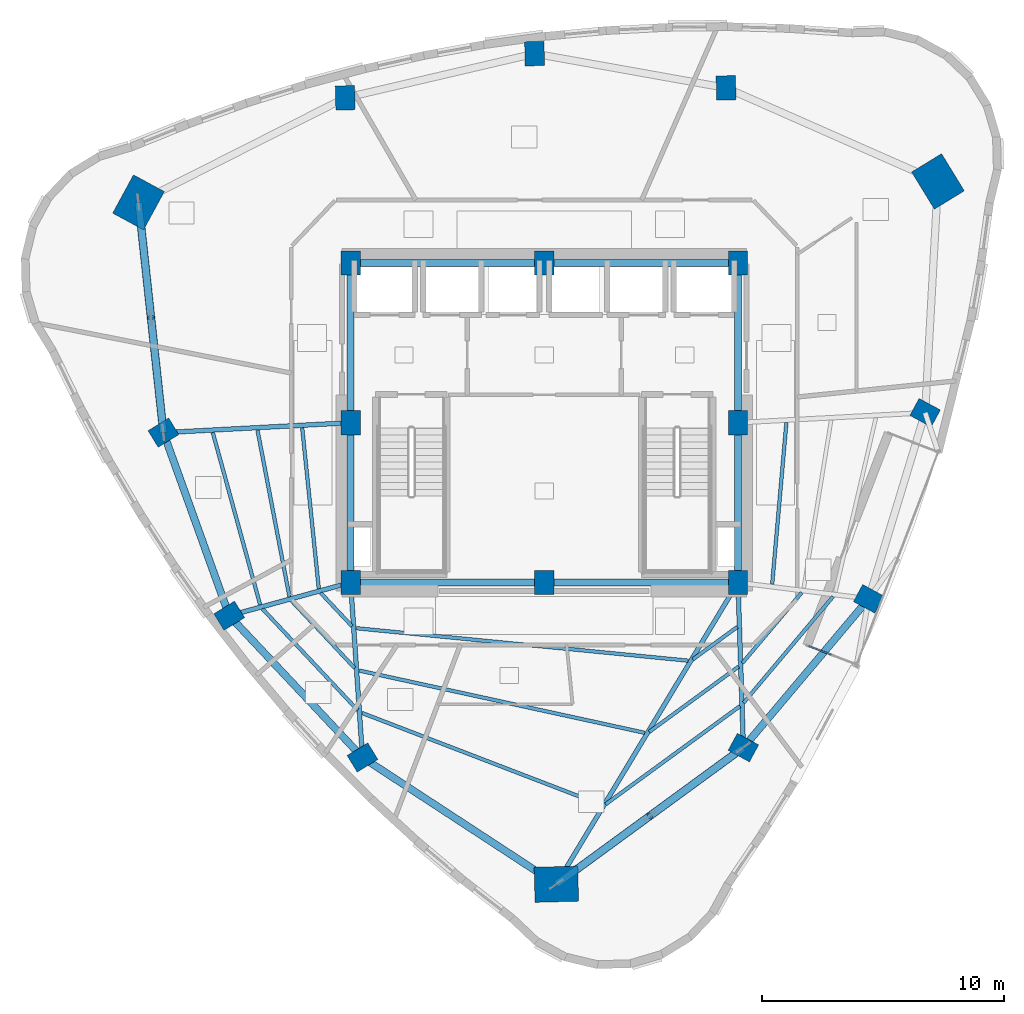
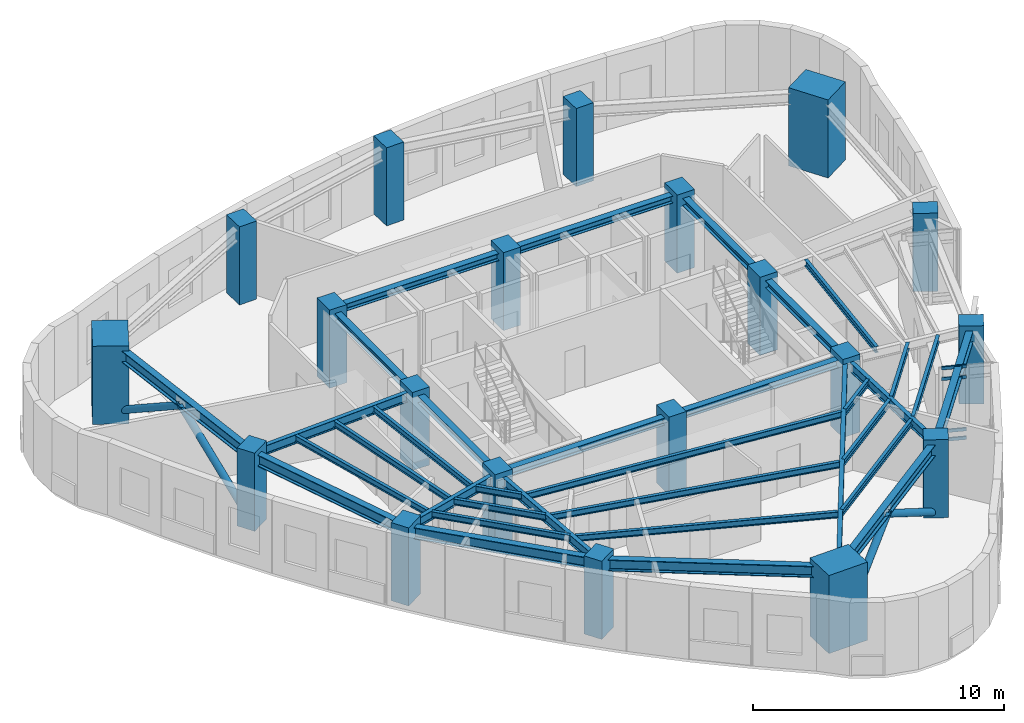
# One storey, part 1 of 10: 34 beams, 20 columns, 8 members, 1 element without a shape of its own.
"""IFC4 building model written with IfcOpenShell, lengths in metres."""

import ifcopenshell
import ifcopenshell.guid

model = None  # the IFC model being written
_history = None  # IfcOwnerHistory: only IFC2X3 demands one
_inside = {}  # id of a spatial element -> (the spatial element, [elements in it])
_under = {}  # id of a project, library or spatial element -> (it, [spatial elements below it])
_declared = {}  # id of a project -> (the project, [libraries it declares])
_typed = {}  # id of a type object -> (the type object, [elements of that type])
_made_of = {}  # id of a material, layer set ... -> (it, [elements and type objects made of it])


def new_model(schema):
    """Start an empty IFC model of exactly this schema.

    Asked for "IFC4X3", IfcOpenShell would pick the latest addendum, in which some entities
    have other attributes; the version numbers below select the first issue.
    IFC2X3 requires an IfcOwnerHistory on every rooted entity: one is made here for all.
    """
    global model, _history
    if schema == "IFC4X3":
        model = ifcopenshell.file(schema_version=(4, 3, 0, 0))
    else:
        model = ifcopenshell.file(schema=schema)
    _inside.clear()
    _under.clear()
    _declared.clear()
    _typed.clear()
    _made_of.clear()
    _history = None
    if model.schema == "IFC2X3":
        org = make("IfcOrganization", Name="unknown")
        user = make(
            "IfcPersonAndOrganization",
            ThePerson=make("IfcPerson", FamilyName="unknown"),
            TheOrganization=org,
        )
        app = make(
            "IfcApplication",
            ApplicationDeveloper=org,
            Version="unknown",
            ApplicationFullName="unknown",
            ApplicationIdentifier="unknown",
        )
        _history = make(
            "IfcOwnerHistory",
            OwningUser=user,
            OwningApplication=app,
            ChangeAction="ADDED",
            CreationDate=0,
        )
    return model


def make(cls, **values):
    """One entity of the class cls with the attributes given. An attribute that is None is left unset."""
    return model.create_entity(
        cls, **{name: value for name, value in values.items() if value is not None}
    )


def rooted(cls, **values):
    """An entity with a GlobalId (a new one), such as an element, a storey or a relation."""
    return make(cls, GlobalId=ifcopenshell.guid.new(), OwnerHistory=_history, **values)


def si_unit(unit_type, name, prefix=None):
    """IfcSIUnit, for example si_unit("LENGTHUNIT", "METRE", prefix="MILLI")."""
    return make("IfcSIUnit", UnitType=unit_type, Prefix=prefix, Name=name)


def assignment(units):
    """IfcUnitAssignment: the units of a project."""
    return None if units is None else make("IfcUnitAssignment", Units=units)


def point(xyz):
    """IfcCartesianPoint."""
    return None if xyz is None else make("IfcCartesianPoint", Coordinates=xyz)


def direction(xyz):
    """IfcDirection."""
    return None if xyz is None else make("IfcDirection", DirectionRatios=xyz)


def frame(location, z_axis=None, x_axis=None):
    """IfcAxis2Placement3D, a coordinate frame: its origin and axes. An axis left out is left unset."""
    return make(
        "IfcAxis2Placement3D",
        Location=point(location),
        Axis=direction(z_axis),
        RefDirection=direction(x_axis),
    )


def frame_2d(location, x_axis=None):
    """IfcAxis2Placement2D, a coordinate frame in the plane: its origin and x axis."""
    return make(
        "IfcAxis2Placement2D", Location=point(location), RefDirection=direction(x_axis)
    )


def origin():
    """The frame at (0, 0, 0) with its axes left unset."""
    return frame((0.0, 0.0, 0.0))


def origin_2d():
    """The frame at (0, 0) in the plane with its x axis left unset."""
    return frame_2d((0.0, 0.0))


def place(relative_to, where):
    """IfcLocalPlacement: puts the frame where relative to a parent placement (None: the world)."""
    return make(
        "IfcLocalPlacement", PlacementRelTo=relative_to, RelativePlacement=where
    )


def context(
    kind, dimensions, precision=None, world=None, true_north=None, identifier=None
):
    """IfcGeometricRepresentationContext, for example the 3D "Model" context."""
    return make(
        "IfcGeometricRepresentationContext",
        ContextIdentifier=identifier,
        ContextType=kind,
        CoordinateSpaceDimension=dimensions,
        Precision=precision,
        WorldCoordinateSystem=world,
        TrueNorth=true_north,
    )


def subcontext(parent, identifier, kind, view, scale=None):
    """IfcGeometricRepresentationSubContext, for example "Body" below "Model"."""
    return make(
        "IfcGeometricRepresentationSubContext",
        ContextIdentifier=identifier,
        ContextType=kind,
        ParentContext=parent,
        TargetScale=scale,
        TargetView=view,
    )


def project(units=None, contexts=None):
    """IfcProject with its units and contexts."""
    return rooted(
        "IfcProject",
        Name="project",
        RepresentationContexts=contexts,
        UnitsInContext=assignment(units),
    )


def spatial(cls, under=None, at=None, **own):
    """A site, building, storey or space (cls), placed at a placement, below another one or the project."""
    s = rooted(cls, ObjectPlacement=at, **own)
    if under is not None:
        _under.setdefault(under.id(), (under, []))[1].append(s)
    return s


def profile(cls, at=None, kind="AREA", **sizes):
    """A parametric profile (cls). Its sizes go by their IFC names, for example OverallWidth=200.0."""
    return make(cls, ProfileType=kind, Position=at, **sizes)


def rectangle(**sizes):
    """IfcRectangleProfileDef."""
    return profile("IfcRectangleProfileDef", **sizes)


def hollow_rectangle(**sizes):
    """IfcRectangleHollowProfileDef."""
    return profile("IfcRectangleHollowProfileDef", **sizes)


def hollow_circle(**sizes):
    """IfcCircleHollowProfileDef."""
    return profile("IfcCircleHollowProfileDef", **sizes)


def i_section(**sizes):
    """IfcIShapeProfileDef."""
    return profile("IfcIShapeProfileDef", **sizes)


def extrude(swept, where, along, depth):
    """IfcExtrudedAreaSolid: the profile swept, set in the frame where, extruded along a direction by depth."""
    return make(
        "IfcExtrudedAreaSolid",
        SweptArea=swept,
        Position=where,
        ExtrudedDirection=direction(along),
        Depth=depth,
    )


def shape(context_of_items, identifier, shape_type, items):
    """IfcShapeRepresentation: the items that make up one representation, for example the "Body"."""
    return make(
        "IfcShapeRepresentation",
        ContextOfItems=context_of_items,
        RepresentationIdentifier=identifier,
        RepresentationType=shape_type,
        Items=items,
    )


def material(Name=None, Category=None):
    """IfcMaterial."""
    return make("IfcMaterial", Name=Name, Category=Category)


def layer(
    of_material, thickness, ventilated=None, Name=None, Category=None, Priority=None
):
    """IfcMaterialLayer: one layer of a wall or slab, of a material (None: an air gap)."""
    return make(
        "IfcMaterialLayer",
        Material=of_material,
        LayerThickness=thickness,
        IsVentilated=ventilated,
        Name=Name,
        Category=Category,
        Priority=Priority,
    )


def layer_set(layers, Name=None):
    """IfcMaterialLayerSet."""
    return make("IfcMaterialLayerSet", MaterialLayers=layers, LayerSetName=Name)


def material_profile(
    of_material, cross_section, Name=None, Category=None, Priority=None
):
    """IfcMaterialProfile: a cross section and its material."""
    return make(
        "IfcMaterialProfile",
        Name=Name,
        Material=of_material,
        Profile=cross_section,
        Priority=Priority,
        Category=Category,
    )


def profile_set(profiles, Name=None, composite=None):
    """IfcMaterialProfileSet."""
    return make(
        "IfcMaterialProfileSet",
        Name=Name,
        MaterialProfiles=profiles,
        CompositeProfile=composite,
    )


def made_of(thing, what):
    """Note that an element or type object is made of a material, layer set ...; save() writes the relation."""
    if what is not None:
        _made_of.setdefault(what.id(), (what, []))[1].append(thing)
    return thing


def type_object(cls, material=None, **own):
    """A type object (cls), such as IfcWallType, which elements share."""
    return made_of(rooted(cls, **own), material)


def element(
    cls,
    number,
    at=None,
    inside=None,
    cuts=None,
    type_object=None,
    material=None,
    context=None,
    identifier="Body",
    shape_type=None,
    held_by="IfcProductDefinitionShape",
    body=None,
    shapes=None,
    **own,
):
    """One element of the class cls, such as IfcWall. Its Tag is "e" and its number.

    at: its placement. inside: the storey or other place that contains it. cuts: it is an
    opening in that element (IfcRelVoidsElement). A single representation is given by context,
    identifier, shape_type and body (its items); several are given by shapes. held_by: the class
    of the entity that holds the representations. save() writes the other relations.
    """
    e = rooted(cls, Tag="e%d" % number, ObjectPlacement=at, **own)
    if body is not None:
        shapes = [shape(context, identifier, shape_type, body)]
    if shapes is not None:
        e.Representation = make(held_by, Representations=shapes)
    if inside is not None:
        _inside.setdefault(inside.id(), (inside, []))[1].append(e)
    if cuts is not None:
        rooted(
            "IfcRelVoidsElement", RelatingBuildingElement=cuts, RelatedOpeningElement=e
        )
    if type_object is not None:
        _typed.setdefault(type_object.id(), (type_object, []))[1].append(e)
    return made_of(e, material)


def aggregate(whole, parts):
    """IfcRelAggregates: a whole, such as a stair, and the parts it consists of."""
    return rooted("IfcRelAggregates", RelatingObject=whole, RelatedObjects=parts)


def save(model, path):
    """Write the relations noted so far, then the file.

    IfcRelAggregates (storeys below a building ...), IfcRelContainedInSpatialStructure (elements
    in a storey), IfcRelDefinesByType, IfcRelAssociatesMaterial and IfcRelDeclares: one each for
    every whole, place, type object, material and project.
    """
    for whole, parts in _under.values():
        aggregate(whole, parts)
    for where, things in _inside.values():
        rooted(
            "IfcRelContainedInSpatialStructure",
            RelatedElements=things,
            RelatingStructure=where,
        )
    for kind, things in _typed.values():
        rooted("IfcRelDefinesByType", RelatedObjects=things, RelatingType=kind)
    for what, things in _made_of.values():
        rooted("IfcRelAssociatesMaterial", RelatedObjects=things, RelatingMaterial=what)
    for by, libraries in _declared.values():
        rooted("IfcRelDeclares", RelatingContext=by, RelatedDefinitions=libraries)
    model.write(path)


model = new_model("IFC4")

# Units and contexts
model_context = context("Model", 3, precision=1e-05, world=origin(), true_north=direction((0.0, 1.0)))
body_context = subcontext(model_context, "Body", "Model", "MODEL_VIEW")
ifc_project = project(units=[si_unit("LENGTHUNIT", "METRE"), si_unit("AREAUNIT", "SQUARE_METRE"), si_unit("VOLUMEUNIT", "CUBIC_METRE"), si_unit("PLANEANGLEUNIT", "RADIAN"), si_unit("MASSUNIT", "GRAM", prefix="KILO")], contexts=[model_context])

# Site, building, storey
site_placement = place(None, origin())
site = spatial("IfcSite", under=ifc_project, at=site_placement, CompositionType="ELEMENT")
building_placement = place(site_placement, origin())
building = spatial("IfcBuilding", under=site, at=building_placement, Name="Ndelora Gate Hotel", CompositionType="ELEMENT")
storey_placement = place(building_placement, frame((0.0, 0.0, 243.550048828125)))
storey = spatial("IfcBuildingStorey", under=building, at=storey_placement, Name="L61", CompositionType="ELEMENT", Elevation=243.550048828125)

# Columns
ifc_material_1 = material(Name="Concrete C50/60", Category="concrete")
ifc_material_profile_1 = material_profile(ifc_material_1, rectangle(XDim=0.800048828125, YDim=1.0, at=origin_2d()), Name="RC 1000x800")
ifc_profile_set_1 = profile_set([ifc_material_profile_1], Name="Concrete C50/60")
column_type_1 = type_object("IfcColumnType", Name="COL-CC-HI", PredefinedType="COLUMN", material=ifc_profile_set_1)
for number, where, z_axis, x_axis, name in (
    (1, (-8.0, -6.60009765625, 0.0), (0.0, 0.0, 1.0), (1.0, 0.0, 0.0), "L61 Core Column CC1"),
    (2, (0.0, -6.60009765625, 0.0), (0.0, 0.0, 1.0), (1.0, 0.0, 0.0), "L61 Core Column CC2"),
    (3, (8.0, -6.60009765625, 0.0), (0.0, 0.0, 1.0), (1.0, 0.0, 0.0), "L61 Core Column CC3"),
    (4, (8.0, 0.0, 0.0), (0.0, 0.0, 1.0), (1.0, 0.0, 0.0), "L61 Core Column CC4"),
    (5, (8.0, 6.60009765625, 0.0), (0.0, 0.0, 1.0), (1.0, 0.0, 0.0), "L61 Core Column CC5"),
    (6, (0.0, 6.60009765625, 0.0), (0.0, 0.0, 1.0), (1.0, 0.0, 0.0), "L61 Core Column CC6"),
    (7, (-8.0, 6.60009765625, 0.0), (0.0, 0.0, 1.0), (1.0, 0.0, 0.0), "L61 Core Column CC7"),
    (8, (-8.0, 0.0, 0.0), (0.0, 0.0, 1.0), (1.0, 0.0, 0.0), "L61 Core Column CC8"),
):
    element("IfcColumn", number, at=place(storey_placement, frame(where, z_axis=z_axis, x_axis=x_axis)), inside=storey, type_object=column_type_1, Name=name, PredefinedType="COLUMN", context=body_context, shape_type="SweptSolid", body=[
        extrude(rectangle(XDim=0.800048828125, YDim=1.0, at=origin_2d()), origin(), (0.0, 0.0, 1.0), 3.800048828125),
    ])
ifc_material_profile_2 = material_profile(ifc_material_1, rectangle(XDim=1.449951171875, YDim=1.800048828125, at=origin_2d()), Name="RC 1800x1450")
ifc_profile_set_2 = profile_set([ifc_material_profile_2], Name="Concrete C50/60")
column_type_2 = type_object("IfcColumnType", Name="COL-MC-Z3", PredefinedType="COLUMN", material=ifc_profile_set_2)
for number, where, z_axis, x_axis, name in (
    (9, (-16.759521484375, 9.099609375, 0.0), (0.0, 0.0, 1.0), (-0.878817112662, 0.47715876026, 0.0), "L61 Corner Mega-Column R1"),
    (10, (0.499267578125, -19.064208984375, 0.0), (0.0, 0.0, 1.0), (-0.026176948308, 0.999657324976, 0.0), "L61 Corner Mega-Column R5"),
    (11, (16.26025390625, 9.96435546875, 0.0), (0.0, 0.0, 1.0), (0.852640164354, 0.522498564716, 0.0), "L61 Corner Mega-Column R9"),
):
    element("IfcColumn", number, at=place(storey_placement, frame(where, z_axis=z_axis, x_axis=x_axis)), inside=storey, type_object=column_type_2, Name=name, PredefinedType="COLUMN", context=body_context, shape_type="SweptSolid", body=[
        extrude(rectangle(XDim=1.449951171875, YDim=1.800048828125, at=origin_2d()), origin(), (0.0, 0.0, 1.0), 3.800048828125),
    ])
ifc_material_profile_3 = material_profile(ifc_material_1, rectangle(XDim=0.800048828125, YDim=1.0, at=origin_2d()), Name="RC 1000x800")
ifc_profile_set_3 = profile_set([ifc_material_profile_3], Name="Concrete C50/60")
column_type_3 = type_object("IfcColumnType", Name="COL-PT-Z3", PredefinedType="COLUMN", material=ifc_profile_set_3)
for number, where, z_axis, x_axis, name in (
    (12, (-15.72998046875, -0.411865234375, 0.0), (0.0, 0.0, 1.0), (-0.522498564716, 0.852640164354, 0.0), "L61 Perimeter Tube Column R2"),
    (13, (-13.011962890625, -7.973876953125, 0.0), (0.0, 0.0, 1.0), (-0.522498564716, 0.852640164354, 0.0), "L61 Perimeter Tube Column R3"),
    (14, (-7.50830078125, -13.828369140625, 0.0), (0.0, 0.0, 1.0), (-0.522498564716, 0.852640164354, 0.0), "L61 Perimeter Tube Column R4"),
    (15, (8.223876953125, -13.419921875, 0.0), (0.0, 0.0, 1.0), (0.47715876026, 0.878817112662, 0.0), "L61 Perimeter Tube Column R6"),
    (16, (13.400390625, -7.275634765625, 0.0), (0.0, 0.0, 1.0), (0.47715876026, 0.878817112662, 0.0), "L61 Perimeter Tube Column R7"),
    (17, (15.72998046875, 0.411865234375, 0.0), (0.0, 0.0, 1.0), (0.47715876026, 0.878817112662, 0.0), "L61 Perimeter Tube Column R8"),
    (18, (7.50830078125, 13.828369140625, 0.0), (0.0, 0.0, 1.0), (0.999657324976, 0.026176948308, 0.0), "L61 Perimeter Tube Column R10"),
    (19, (-0.399169921875, 15.242919921875, 0.0), (0.0, 0.0, 1.0), (0.999657324976, 0.026176948308, 0.0), "L61 Perimeter Tube Column R11"),
    (20, (-8.2216796875, 13.41650390625, 0.0), (0.0, 0.0, 1.0), (0.999657324976, 0.026176948308, 0.0), "L61 Perimeter Tube Column R12"),
):
    element("IfcColumn", number, at=place(storey_placement, frame(where, z_axis=z_axis, x_axis=x_axis)), inside=storey, type_object=column_type_3, Name=name, PredefinedType="COLUMN", context=body_context, shape_type="SweptSolid", body=[
        extrude(rectangle(XDim=0.800048828125, YDim=1.0, at=origin_2d()), origin(), (0.0, 0.0, 1.0), 3.800048828125),
    ])

# Beams
ifc_material_2 = material(Name="Steel S355", Category="steel")
ifc_material_profile_4 = material_profile(ifc_material_2, i_section(OverallWidth=0.300048828125, OverallDepth=0.35009765625, WebThickness=0.010009765625, FlangeThickness=0.017578125, FilletRadius=0.027099609375, at=origin_2d()), Name="HEA 360")
ifc_profile_set_4 = profile_set([ifc_material_profile_4], Name="Steel S355")
beam_type_1 = type_object("IfcBeamType", Name="BM-CORE-350", PredefinedType="BEAM", material=ifc_profile_set_4)
for number, where, z_axis, x_axis, name in (
    (21, (-8.0, 6.60009765625, 3.375), (1.0, 0.0, 0.0), (0.0, 1.0, 0.0), "L61 Core Tie Girder CC7-CC6"),
    (22, (0.0, 6.60009765625, 3.375), (1.0, 0.0, 0.0), (0.0, 1.0, 0.0), "L61 Core Tie Girder CC6-CC5"),
):
    element("IfcBeam", number, at=place(storey_placement, frame(where, z_axis=z_axis, x_axis=x_axis)), inside=storey, type_object=beam_type_1, Name=name, PredefinedType="BEAM", context=body_context, shape_type="SweptSolid", body=[
        extrude(i_section(OverallWidth=0.300048828125, OverallDepth=0.35009765625, WebThickness=0.010009765625, FlangeThickness=0.017578125, FilletRadius=0.027099609375, at=origin_2d()), origin(), (0.0, 0.0, 1.0), 8.0),
    ])
for number, where, z_axis, x_axis, name in (
    (23, (-8.0, -6.60009765625, 3.375), (0.0, 1.0, 0.0), (-1.0, 0.0, 0.0), "L61 Core Tie Girder CC1-CC8"),
    (24, (-8.0, 0.0, 3.375), (0.0, 1.0, 0.0), (-1.0, 0.0, 0.0), "L61 Core Tie Girder CC8-CC7"),
    (25, (8.0, -6.60009765625, 3.375), (0.0, 1.0, 0.0), (-1.0, 0.0, 0.0), "L61 Core Tie Girder CC3-CC4"),
    (26, (8.0, 0.0, 3.375), (0.0, 1.0, 0.0), (-1.0, 0.0, 0.0), "L61 Core Tie Girder CC4-CC5"),
):
    element("IfcBeam", number, at=place(storey_placement, frame(where, z_axis=z_axis, x_axis=x_axis)), inside=storey, type_object=beam_type_1, Name=name, PredefinedType="BEAM", context=body_context, shape_type="SweptSolid", body=[
        extrude(i_section(OverallWidth=0.300048828125, OverallDepth=0.35009765625, WebThickness=0.010009765625, FlangeThickness=0.017578125, FilletRadius=0.027099609375, at=origin_2d()), origin(), (0.0, 0.0, 1.0), 6.60009765625),
    ])
for number, where, z_axis, x_axis, name in (
    (27, (-8.0, -6.60009765625, 3.375), (1.0, 0.0, 0.0), (0.0, 1.0, 0.0), "L61 Core Tie Girder CC1-CC2"),
    (28, (0.0, -6.60009765625, 3.375), (1.0, 0.0, 0.0), (0.0, 1.0, 0.0), "L61 Core Tie Girder CC2-CC3"),
):
    element("IfcBeam", number, at=place(storey_placement, frame(where, z_axis=z_axis, x_axis=x_axis)), inside=storey, type_object=beam_type_1, Name=name, PredefinedType="BEAM", context=body_context, shape_type="SweptSolid", body=[
        extrude(i_section(OverallWidth=0.300048828125, OverallDepth=0.35009765625, WebThickness=0.010009765625, FlangeThickness=0.017578125, FilletRadius=0.027099609375, at=origin_2d()), origin(), (0.0, 0.0, 1.0), 8.0),
    ])
ifc_material_profile_5 = material_profile(ifc_material_2, i_section(OverallWidth=0.14990234375, OverallDepth=0.300048828125, WebThickness=0.007080078125, FlangeThickness=0.0107421875, FilletRadius=0.014892578125, at=origin_2d()), Name="IPE 300")
ifc_profile_set_5 = profile_set([ifc_material_profile_5], Name="Steel S355")
beam_type_2 = type_object("IfcBeamType", Name="BM-JST-300", PredefinedType="JOIST", material=ifc_profile_set_5)
beam_1_placement = place(storey_placement, frame((-9.9990234375, -0.21142578125, 3.39990234375), z_axis=(0.10260596827, -0.994722079415, 0.0), x_axis=(0.994722079415, 0.10260596827, 0.0)))
element("IfcBeam", 29, at=beam_1_placement, inside=storey, type_object=beam_type_2, Name="L61 Secondary Composite Floor Joist IN-2", PredefinedType="JOIST", context=body_context, shape_type="SweptSolid", body=[
    extrude(i_section(OverallWidth=0.14990234375, OverallDepth=0.300048828125, WebThickness=0.007080078125, FlangeThickness=0.0107421875, FilletRadius=0.014892578125, at=origin_2d()), origin(), (0.0, 0.0, 1.0), 6.676513671875),
])
beam_2_placement = place(storey_placement, frame((-11.84521484375, -0.30908203125, 3.39990234375), z_axis=(0.188470955684, -0.982078764083, 0.0), x_axis=(0.982078764083, 0.188470955684, 0.0)))
element("IfcBeam", 30, at=beam_2_placement, inside=storey, type_object=beam_type_2, Name="L61 Secondary Composite Floor Joist MID-2", PredefinedType="JOIST", context=body_context, shape_type="SweptSolid", body=[
    extrude(i_section(OverallWidth=0.14990234375, OverallDepth=0.300048828125, WebThickness=0.007080078125, FlangeThickness=0.0107421875, FilletRadius=0.014892578125, at=origin_2d()), origin(), (0.0, 0.0, 1.0), 7.000244140625),
])
beam_3_placement = place(storey_placement, frame((-13.6923828125, -0.406005859375, 3.39990234375), z_axis=(0.2652180483, -0.964188460238, 0.0), x_axis=(0.964188460238, 0.2652180483, 0.0)))
element("IfcBeam", 31, at=beam_3_placement, inside=storey, type_object=beam_type_2, Name="L61 Secondary Composite Floor Joist OUT-2", PredefinedType="JOIST", context=body_context, shape_type="SweptSolid", body=[
    extrude(i_section(OverallWidth=0.14990234375, OverallDepth=0.300048828125, WebThickness=0.007080078125, FlangeThickness=0.0107421875, FilletRadius=0.014892578125, at=origin_2d()), origin(), (0.0, 0.0, 1.0), 7.37353515625),
])
beam_4_placement = place(storey_placement, frame((-9.231201171875, -7.03369140625, 3.39990234375), z_axis=(0.684943115963, -0.728596546722, 0.0), x_axis=(0.728596546722, 0.684943115963, 0.0)))
element("IfcBeam", 32, at=beam_4_placement, inside=storey, type_object=beam_type_2, Name="L61 Secondary Composite Floor Joist IN-3", PredefinedType="JOIST", context=body_context, shape_type="SweptSolid", body=[
    extrude(i_section(OverallWidth=0.14990234375, OverallDepth=0.300048828125, WebThickness=0.007080078125, FlangeThickness=0.0107421875, FilletRadius=0.014892578125, at=origin_2d()), origin(), (0.0, 0.0, 1.0), 1.879150390625),
])
beam_5_placement = place(storey_placement, frame((-10.43408203125, -7.36328125, 3.39990234375), z_axis=(0.684938600536, -0.728600791584, 0.0), x_axis=(0.728600791584, 0.684938600536, 0.0)))
element("IfcBeam", 33, at=beam_5_placement, inside=storey, type_object=beam_type_2, Name="L61 Secondary Composite Floor Joist MID-3", PredefinedType="JOIST", context=body_context, shape_type="SweptSolid", body=[
    extrude(i_section(OverallWidth=0.14990234375, OverallDepth=0.300048828125, WebThickness=0.007080078125, FlangeThickness=0.0107421875, FilletRadius=0.014892578125, at=origin_2d()), origin(), (0.0, 0.0, 1.0), 3.807861328125),
])
beam_6_placement = place(storey_placement, frame((-11.636962890625, -7.693115234375, 3.39990234375), z_axis=(0.68493576734, -0.728603454986, 0.0), x_axis=(0.728603454986, 0.68493576734, 0.0)))
element("IfcBeam", 34, at=beam_6_placement, inside=storey, type_object=beam_type_2, Name="L61 Secondary Composite Floor Joist OUT-3", PredefinedType="JOIST", context=body_context, shape_type="SweptSolid", body=[
    extrude(i_section(OverallWidth=0.14990234375, OverallDepth=0.300048828125, WebThickness=0.007080078125, FlangeThickness=0.0107421875, FilletRadius=0.014892578125, at=origin_2d()), origin(), (0.0, 0.0, 1.0), 5.736328125),
])
beam_7_placement = place(storey_placement, frame((-7.767578125, -8.489501953125, 3.39990234375), z_axis=(0.995253727902, -0.097314012848, 0.0), x_axis=(0.097314012848, 0.995253727902, 0.0)))
element("IfcBeam", 35, at=beam_7_placement, inside=storey, type_object=beam_type_2, Name="L61 Secondary Composite Floor Joist IN-4", PredefinedType="JOIST", context=body_context, shape_type="SweptSolid", body=[
    extrude(i_section(OverallWidth=0.14990234375, OverallDepth=0.300048828125, WebThickness=0.007080078125, FlangeThickness=0.0107421875, FilletRadius=0.014892578125, at=origin_2d()), origin(), (0.0, 0.0, 1.0), 13.7783203125),
])
beam_8_placement = place(storey_placement, frame((-7.651611328125, -10.236572265625, 3.39990234375), z_axis=(0.977032906758, -0.213088477191, 0.0), x_axis=(0.213088477191, 0.977032906758, 0.0)))
element("IfcBeam", 36, at=beam_8_placement, inside=storey, type_object=beam_type_2, Name="L61 Secondary Composite Floor Joist MID-4", PredefinedType="JOIST", context=body_context, shape_type="SweptSolid", body=[
    extrude(i_section(OverallWidth=0.14990234375, OverallDepth=0.300048828125, WebThickness=0.007080078125, FlangeThickness=0.0107421875, FilletRadius=0.014892578125, at=origin_2d()), origin(), (0.0, 0.0, 1.0), 12.075927734375),
])
beam_9_placement = place(storey_placement, frame((-7.5380859375, -11.98681640625, 3.39990234375), z_axis=(0.933489266504, -0.358605339227, 0.0), x_axis=(0.358605339227, 0.933489266504, 0.0)))
element("IfcBeam", 37, at=beam_9_placement, inside=storey, type_object=beam_type_2, Name="L61 Secondary Composite Floor Joist OUT-4", PredefinedType="JOIST", context=body_context, shape_type="SweptSolid", body=[
    extrude(i_section(OverallWidth=0.14990234375, OverallDepth=0.300048828125, WebThickness=0.007080078125, FlangeThickness=0.0107421875, FilletRadius=0.014892578125, at=origin_2d()), origin(), (0.0, 0.0, 1.0), 10.593994140625),
])
beam_10_placement = place(storey_placement, frame((6.134521484375, -9.77880859375, 3.39990234375), z_axis=(0.80739897839, 0.590005838696, 0.0), x_axis=(-0.590005838696, 0.80739897839, 0.0)))
element("IfcBeam", 38, at=beam_10_placement, inside=storey, type_object=beam_type_2, Name="L61 Secondary Composite Floor Joist IN-5", PredefinedType="JOIST", context=body_context, shape_type="SweptSolid", body=[
    extrude(i_section(OverallWidth=0.14990234375, OverallDepth=0.300048828125, WebThickness=0.007080078125, FlangeThickness=0.0107421875, FilletRadius=0.014892578125, at=origin_2d()), origin(), (0.0, 0.0, 1.0), 2.277587890625),
])
beam_11_placement = place(storey_placement, frame((4.33447265625, -12.77001953125, 3.39990234375), z_axis=(0.807439047151, 0.589951002318, 0.0), x_axis=(-0.589951002318, 0.807439047151, 0.0)))
element("IfcBeam", 39, at=beam_11_placement, inside=storey, type_object=beam_type_2, Name="L61 Secondary Composite Floor Joist MID-5", PredefinedType="JOIST", context=body_context, shape_type="SweptSolid", body=[
    extrude(i_section(OverallWidth=0.14990234375, OverallDepth=0.300048828125, WebThickness=0.007080078125, FlangeThickness=0.0107421875, FilletRadius=0.014892578125, at=origin_2d()), origin(), (0.0, 0.0, 1.0), 4.5732421875),
])
beam_12_placement = place(storey_placement, frame((2.5341796875, -15.761474609375, 3.39990234375), z_axis=(0.807430841486, 0.589962232874, 0.0), x_axis=(-0.589962232874, 0.807430841486, 0.0)))
element("IfcBeam", 40, at=beam_12_placement, inside=storey, type_object=beam_type_2, Name="L61 Secondary Composite Floor Joist OUT-5", PredefinedType="JOIST", context=body_context, shape_type="SweptSolid", body=[
    extrude(i_section(OverallWidth=0.14990234375, OverallDepth=0.300048828125, WebThickness=0.007080078125, FlangeThickness=0.0107421875, FilletRadius=0.014892578125, at=origin_2d()), origin(), (0.0, 0.0, 1.0), 6.869384765625),
])
beam_13_placement = place(storey_placement, frame((8.1796875, -9.9296875, 3.39990234375), z_axis=(0.644319387893, 0.764756514444, 0.0), x_axis=(-0.764756514444, 0.644319387893, 0.0)))
element("IfcBeam", 41, at=beam_13_placement, inside=storey, type_object=beam_type_2, Name="L61 Secondary Composite Floor Joist MID-6", PredefinedType="JOIST", context=body_context, shape_type="SweptSolid", body=[
    extrude(i_section(OverallWidth=0.14990234375, OverallDepth=0.300048828125, WebThickness=0.007080078125, FlangeThickness=0.0107421875, FilletRadius=0.014892578125, at=origin_2d()), origin(), (0.0, 0.0, 1.0), 3.806884765625),
])
beam_14_placement = place(storey_placement, frame((8.2333984375, -11.56640625, 3.39990234375), z_axis=(0.644324492463, 0.764752213735, 0.0), x_axis=(-0.764752213735, 0.644324492463, 0.0)))
element("IfcBeam", 42, at=beam_14_placement, inside=storey, type_object=beam_type_2, Name="L61 Secondary Composite Floor Joist OUT-6", PredefinedType="JOIST", context=body_context, shape_type="SweptSolid", body=[
    extrude(i_section(OverallWidth=0.14990234375, OverallDepth=0.300048828125, WebThickness=0.007080078125, FlangeThickness=0.0107421875, FilletRadius=0.014892578125, at=origin_2d()), origin(), (0.0, 0.0, 1.0), 5.735107421875),
])
beam_15_placement = place(storey_placement, frame((9.413330078125, -6.671142578125, 3.39990234375), z_axis=(0.087643872384, 0.996151871771, 0.0), x_axis=(-0.996151871771, 0.087643872384, 0.0)))
element("IfcBeam", 43, at=beam_15_placement, inside=storey, type_object=beam_type_2, Name="L61 Secondary Composite Floor Joist IN-7", PredefinedType="JOIST", context=body_context, shape_type="SweptSolid", body=[
    extrude(i_section(OverallWidth=0.14990234375, OverallDepth=0.300048828125, WebThickness=0.007080078125, FlangeThickness=0.0107421875, FilletRadius=0.014892578125, at=origin_2d()), origin(), (0.0, 0.0, 1.0), 6.699462890625),
])
ifc_material_profile_6 = material_profile(ifc_material_2, i_section(OverallWidth=0.18994140625, OverallDepth=0.449951171875, WebThickness=0.009521484375, FlangeThickness=0.0146484375, FilletRadius=0.02099609375, at=origin_2d()), Name="IPE 450")
ifc_profile_set_6 = profile_set([ifc_material_profile_6], Name="Steel S355")
beam_type_3 = type_object("IfcBeamType", Name="BM-RAD-450", PredefinedType="BEAM", material=ifc_profile_set_6)
beam_16_placement = place(storey_placement, frame((-8.0, 0.0, 3.324951171875), z_axis=(-0.998583554121, -0.053206065814, 0.0), x_axis=(0.053206065814, -0.998583554121, 0.0)))
element("IfcBeam", 44, at=beam_16_placement, inside=storey, type_object=beam_type_3, Name="L61 Radial Floor Girder 2", PredefinedType="BEAM", context=body_context, shape_type="SweptSolid", body=[
    extrude(i_section(OverallWidth=0.18994140625, OverallDepth=0.449951171875, WebThickness=0.009521484375, FlangeThickness=0.0146484375, FilletRadius=0.02099609375, at=origin_2d()), origin(), (0.0, 0.0, 1.0), 7.740966796875),
])
beam_17_placement = place(storey_placement, frame((-8.0, -6.60009765625, 3.324951171875), z_axis=(-0.96442695542, -0.264349480157, 0.0), x_axis=(0.264349480157, -0.96442695542, 0.0)))
element("IfcBeam", 45, at=beam_17_placement, inside=storey, type_object=beam_type_3, Name="L61 Radial Floor Girder 3", PredefinedType="BEAM", context=body_context, shape_type="SweptSolid", body=[
    extrude(i_section(OverallWidth=0.18994140625, OverallDepth=0.449951171875, WebThickness=0.009521484375, FlangeThickness=0.0146484375, FilletRadius=0.02099609375, at=origin_2d()), origin(), (0.0, 0.0, 1.0), 5.19677734375),
])
beam_18_placement = place(storey_placement, frame((-8.0, -6.60009765625, 3.324951171875), z_axis=(0.067867612113, -0.997694335569, 0.0), x_axis=(0.997694335569, 0.067867612113, 0.0)))
element("IfcBeam", 46, at=beam_18_placement, inside=storey, type_object=beam_type_3, Name="L61 Radial Floor Girder 4", PredefinedType="BEAM", context=body_context, shape_type="SweptSolid", body=[
    extrude(i_section(OverallWidth=0.18994140625, OverallDepth=0.449951171875, WebThickness=0.009521484375, FlangeThickness=0.0146484375, FilletRadius=0.02099609375, at=origin_2d()), origin(), (0.0, 0.0, 1.0), 7.244873046875),
])
beam_19_placement = place(storey_placement, frame((8.0, -6.60009765625, 3.324951171875), z_axis=(-0.515620753203, -0.856816922607, 0.0), x_axis=(0.856816922607, -0.515620753203, 0.0)))
element("IfcBeam", 47, at=beam_19_placement, inside=storey, type_object=beam_type_3, Name="L61 Radial Floor Girder 5", PredefinedType="BEAM", context=body_context, shape_type="SweptSolid", body=[
    extrude(i_section(OverallWidth=0.18994140625, OverallDepth=0.449951171875, WebThickness=0.009521484375, FlangeThickness=0.0146484375, FilletRadius=0.02099609375, at=origin_2d()), origin(), (0.0, 0.0, 1.0), 14.546875),
])
beam_20_placement = place(storey_placement, frame((8.0, -6.60009765625, 3.324951171875), z_axis=(0.032809705109, -0.999461616697, 0.0), x_axis=(0.999461616697, 0.032809705109, 0.0)))
element("IfcBeam", 48, at=beam_20_placement, inside=storey, type_object=beam_type_3, Name="L61 Radial Floor Girder 6", PredefinedType="BEAM", context=body_context, shape_type="SweptSolid", body=[
    extrude(i_section(OverallWidth=0.18994140625, OverallDepth=0.449951171875, WebThickness=0.009521484375, FlangeThickness=0.0146484375, FilletRadius=0.02099609375, at=origin_2d()), origin(), (0.0, 0.0, 1.0), 6.823486328125),
])
ifc_material_profile_7 = material_profile(ifc_material_2, i_section(OverallWidth=0.300048828125, OverallDepth=0.550048828125, WebThickness=0.014892578125, FlangeThickness=0.029052734375, FilletRadius=0.027099609375, at=origin_2d()), Name="HEB 550")
ifc_profile_set_7 = profile_set([ifc_material_profile_7], Name="Steel S355")
beam_type_4 = type_object("IfcBeamType", Name="BM-RING-550", PredefinedType="SPANDREL", material=ifc_profile_set_7)
beam_21_placement = place(storey_placement, frame((-16.759521484375, 9.099609375, 3.27490234375), z_axis=(0.107613416645, -0.994192814578, 0.0), x_axis=(0.994192814578, 0.107613416645, 0.0)))
element("IfcBeam", 49, at=beam_21_placement, inside=storey, type_object=beam_type_4, Name="L61 Perimeter Spandrel Girder 1", PredefinedType="SPANDREL", context=body_context, shape_type="SweptSolid", body=[
    extrude(i_section(OverallWidth=0.300048828125, OverallDepth=0.550048828125, WebThickness=0.014892578125, FlangeThickness=0.029052734375, FilletRadius=0.027099609375, at=origin_2d()), origin(), (0.0, 0.0, 1.0), 9.567138671875),
])
beam_22_placement = place(storey_placement, frame((-15.72998046875, -0.411865234375, 3.27490234375), z_axis=(0.338244972382, -0.941058095262, 0.0), x_axis=(0.941058095262, 0.338244972382, 0.0)))
element("IfcBeam", 50, at=beam_22_placement, inside=storey, type_object=beam_type_4, Name="L61 Perimeter Spandrel Girder 2", PredefinedType="SPANDREL", context=body_context, shape_type="SweptSolid", body=[
    extrude(i_section(OverallWidth=0.300048828125, OverallDepth=0.550048828125, WebThickness=0.014892578125, FlangeThickness=0.029052734375, FilletRadius=0.027099609375, at=origin_2d()), origin(), (0.0, 0.0, 1.0), 8.03564453125),
])
beam_23_placement = place(storey_placement, frame((-13.011962890625, -7.973876953125, 3.27490234375), z_axis=(0.684939043371, -0.728600375285, 0.0), x_axis=(0.728600375285, 0.684939043371, 0.0)))
element("IfcBeam", 51, at=beam_23_placement, inside=storey, type_object=beam_type_4, Name="L61 Perimeter Spandrel Girder 3", PredefinedType="SPANDREL", context=body_context, shape_type="SweptSolid", body=[
    extrude(i_section(OverallWidth=0.300048828125, OverallDepth=0.550048828125, WebThickness=0.014892578125, FlangeThickness=0.029052734375, FilletRadius=0.027099609375, at=origin_2d()), origin(), (0.0, 0.0, 1.0), 8.03515625),
])
beam_24_placement = place(storey_placement, frame((-7.50830078125, -13.828369140625, 3.27490234375), z_axis=(0.836963769915, -0.547258300851, 0.0), x_axis=(0.547258300851, 0.836963769915, 0.0)))
element("IfcBeam", 52, at=beam_24_placement, inside=storey, type_object=beam_type_4, Name="L61 Perimeter Spandrel Girder 4", PredefinedType="SPANDREL", context=body_context, shape_type="SweptSolid", body=[
    extrude(i_section(OverallWidth=0.300048828125, OverallDepth=0.550048828125, WebThickness=0.014892578125, FlangeThickness=0.029052734375, FilletRadius=0.027099609375, at=origin_2d()), origin(), (0.0, 0.0, 1.0), 9.5673828125),
])
beam_25_placement = place(storey_placement, frame((0.499267578125, -19.064208984375, 3.27490234375), z_axis=(0.807421980226, 0.58997436033, 0.0), x_axis=(-0.58997436033, 0.807421980226, 0.0)))
element("IfcBeam", 53, at=beam_25_placement, inside=storey, type_object=beam_type_4, Name="L61 Perimeter Spandrel Girder 5", PredefinedType="SPANDREL", context=body_context, shape_type="SweptSolid", body=[
    extrude(i_section(OverallWidth=0.300048828125, OverallDepth=0.550048828125, WebThickness=0.014892578125, FlangeThickness=0.029052734375, FilletRadius=0.027099609375, at=origin_2d()), origin(), (0.0, 0.0, 1.0), 9.56689453125),
])
beam_26_placement = place(storey_placement, frame((8.223876953125, -13.419921875, 3.27490234375), z_axis=(0.644308845181, 0.764765396721, 0.0), x_axis=(-0.764765396721, 0.644308845181, 0.0)))
element("IfcBeam", 54, at=beam_26_placement, inside=storey, type_object=beam_type_4, Name="L61 Perimeter Spandrel Girder 6", PredefinedType="SPANDREL", context=body_context, shape_type="SweptSolid", body=[
    extrude(i_section(OverallWidth=0.300048828125, OverallDepth=0.550048828125, WebThickness=0.014892578125, FlangeThickness=0.029052734375, FilletRadius=0.027099609375, at=origin_2d()), origin(), (0.0, 0.0, 1.0), 8.0341796875),
])

# Curtain wall, members
ifc_material_3 = material(Name="Bronze Anodised Unitised Aluminium and Low-E Glass", Category="aluminium")
ifc_layer = layer(ifc_material_3, 0.199951171875)
ifc_layer_set = layer_set([ifc_layer], Name="Bronze Anodised Unitised Aluminium and Low-E Glass")
curtain_wall_type = type_object("IfcCurtainWallType", Name="CW-SYS-3", PredefinedType="NOTDEFINED", material=ifc_layer_set)
curtain_wall_placement = place(storey_placement, origin())
curtain_wall = element("IfcCurtainWall", 55, at=curtain_wall_placement, inside=storey, type_object=curtain_wall_type, Name="L61 Sky-Garden Loggia Side Curtain Wall CW3-1", PredefinedType="NOTDEFINED")
ifc_material_4 = material(Name="Bronze Anodised Aluminium 6063-T6", Category="aluminium")
ifc_material_profile_8 = material_profile(ifc_material_4, hollow_rectangle(XDim=0.06494140625, YDim=0.159912109375, WallThickness=0.00390625, InnerFilletRadius=0.00390625, OuterFilletRadius=0.008056640625, at=origin_2d()), Name="ALU 160x65x4")
ifc_profile_set_8 = profile_set([ifc_material_profile_8], Name="Bronze Anodised Aluminium 6063-T6")
member_type_1 = type_object("IfcMemberType", Name="MB-CW-TRN150", PredefinedType="USERDEFINED", material=ifc_profile_set_8)
member_1_placement = place(storey_placement, frame((10.90869140625, -9.221923828125, 0.032470703125), z_axis=(0.93358111833, -0.358366147253, 0.0), x_axis=(0.358366147253, 0.93358111833, 0.0)))
member_1 = element("IfcMember", 56, at=member_1_placement, type_object=member_type_1, Name="CW3 transom 1.1", ObjectType="TRANSOM", PredefinedType="USERDEFINED", context=body_context, shape_type="SweptSolid", body=[
    extrude(hollow_rectangle(XDim=0.06494140625, YDim=0.159912109375, WallThickness=0.00390625, InnerFilletRadius=0.00390625, OuterFilletRadius=0.008056640625, at=origin_2d()), origin(), (0.0, 0.0, 1.0), 1.014404296875),
])
member_2_placement = place(storey_placement, frame((10.90869140625, -9.221923828125, 0.449951171875), z_axis=(0.93358111833, -0.358366147253, 0.0), x_axis=(0.358366147253, 0.93358111833, 0.0)))
member_2 = element("IfcMember", 57, at=member_2_placement, type_object=member_type_1, Name="CW3 transom 1.2", ObjectType="TRANSOM", PredefinedType="USERDEFINED", context=body_context, shape_type="SweptSolid", body=[
    extrude(hollow_rectangle(XDim=0.06494140625, YDim=0.159912109375, WallThickness=0.00390625, InnerFilletRadius=0.00390625, OuterFilletRadius=0.008056640625, at=origin_2d()), origin(), (0.0, 0.0, 1.0), 1.014404296875),
])
member_3_placement = place(storey_placement, frame((10.90869140625, -9.221923828125, 3.0), z_axis=(0.93358111833, -0.358366147253, 0.0), x_axis=(0.358366147253, 0.93358111833, 0.0)))
member_3 = element("IfcMember", 58, at=member_3_placement, type_object=member_type_1, Name="CW3 transom 1.3", ObjectType="TRANSOM", PredefinedType="USERDEFINED", context=body_context, shape_type="SweptSolid", body=[
    extrude(hollow_rectangle(XDim=0.06494140625, YDim=0.159912109375, WallThickness=0.00390625, InnerFilletRadius=0.00390625, OuterFilletRadius=0.008056640625, at=origin_2d()), origin(), (0.0, 0.0, 1.0), 1.014404296875),
])
member_4_placement = place(storey_placement, frame((10.90869140625, -9.221923828125, 3.517333984375), z_axis=(0.93358111833, -0.358366147253, 0.0), x_axis=(0.358366147253, 0.93358111833, 0.0)))
member_4 = element("IfcMember", 59, at=member_4_placement, type_object=member_type_1, Name="CW3 transom 1.4", ObjectType="TRANSOM", PredefinedType="USERDEFINED", context=body_context, shape_type="SweptSolid", body=[
    extrude(hollow_rectangle(XDim=0.06494140625, YDim=0.159912109375, WallThickness=0.00390625, InnerFilletRadius=0.00390625, OuterFilletRadius=0.008056640625, at=origin_2d()), origin(), (0.0, 0.0, 1.0), 1.014404296875),
])
aggregate(curtain_wall, [member_1, member_2, member_3, member_4])

# Members
ifc_material_profile_9 = material_profile(ifc_material_2, hollow_circle(Radius=0.161865234375, WallThickness=0.01611328125, at=origin_2d()), Name="CHS 323.9x16")
ifc_profile_set_9 = profile_set([ifc_material_profile_9], Name="Steel S355")
member_type_2 = type_object("IfcMemberType", Name="MB-TUBE-324", PredefinedType="BRACE", material=ifc_profile_set_9)
member_5_placement = place(storey_placement, frame((-16.759521484375, 9.099609375, 0.02001953125), z_axis=(0.091362436506, -0.843835419962, 0.528767140821), x_axis=(0.994189788356, 0.107641370894, 0.0)))
element("IfcMember", 60, at=member_5_placement, inside=storey, type_object=member_type_2, Name="L61 Perimeter Braced-Tube Diagonal 1A", PredefinedType="BRACE", context=body_context, shape_type="SweptSolid", body=[
    extrude(hollow_circle(Radius=0.161865234375, WallThickness=0.01611328125, at=origin_2d()), origin(), (0.0, 0.0, 1.0), 5.6357421875),
])
member_6_placement = place(storey_placement, frame((-15.72998046875, -0.411865234375, 0.02001953125), z_axis=(-0.091316139457, 0.843851231796, 0.528749904276), x_axis=(-0.994195839876, -0.107585463576, 0.0)))
element("IfcMember", 61, at=member_6_placement, inside=storey, type_object=member_type_2, Name="L61 Perimeter Braced-Tube Diagonal 1B", PredefinedType="BRACE", context=body_context, shape_type="SweptSolid", body=[
    extrude(hollow_circle(Radius=0.161865234375, WallThickness=0.01611328125, at=origin_2d()), origin(), (0.0, 0.0, 1.0), 5.635986328125),
])
for number, where, z_axis, x_axis, name in (
    (62, (0.499267578125, -19.064208984375, 0.02001953125), (0.685309419613, 0.500769714964, 0.528753904917), (-0.58999099658, 0.807409824039, 0.0), "L61 Perimeter Braced-Tube Diagonal 5A"),
    (63, (8.223876953125, -13.419921875, 0.02001953125), (-0.685324285825, -0.500737257892, 0.528765375018), (0.58995772333, -0.807434136437, 0.0), "L61 Perimeter Braced-Tube Diagonal 5B"),
):
    element("IfcMember", number, at=place(storey_placement, frame(where, z_axis=z_axis, x_axis=x_axis)), inside=storey, type_object=member_type_2, Name=name, PredefinedType="BRACE", context=body_context, shape_type="SweptSolid", body=[
        extrude(hollow_circle(Radius=0.161865234375, WallThickness=0.01611328125, at=origin_2d()), origin(), (0.0, 0.0, 1.0), 5.6357421875),
    ])

save(model, "model.ifc")
